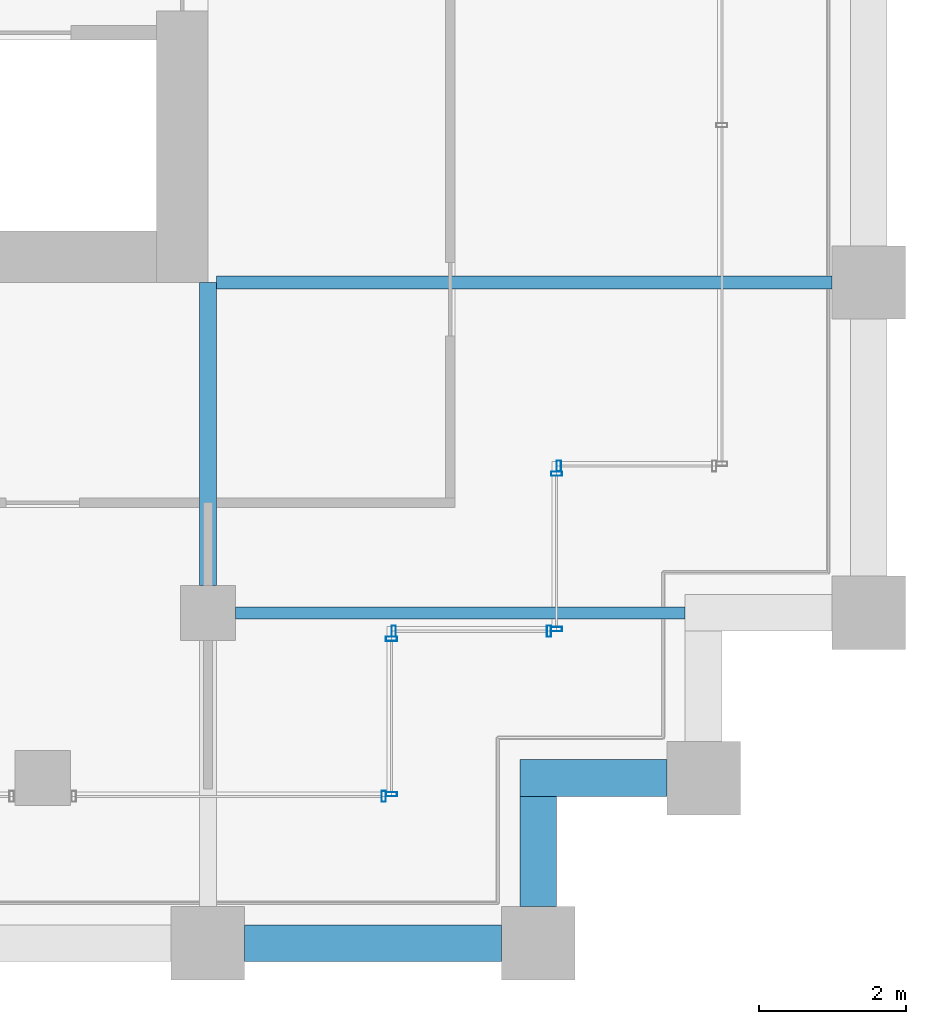
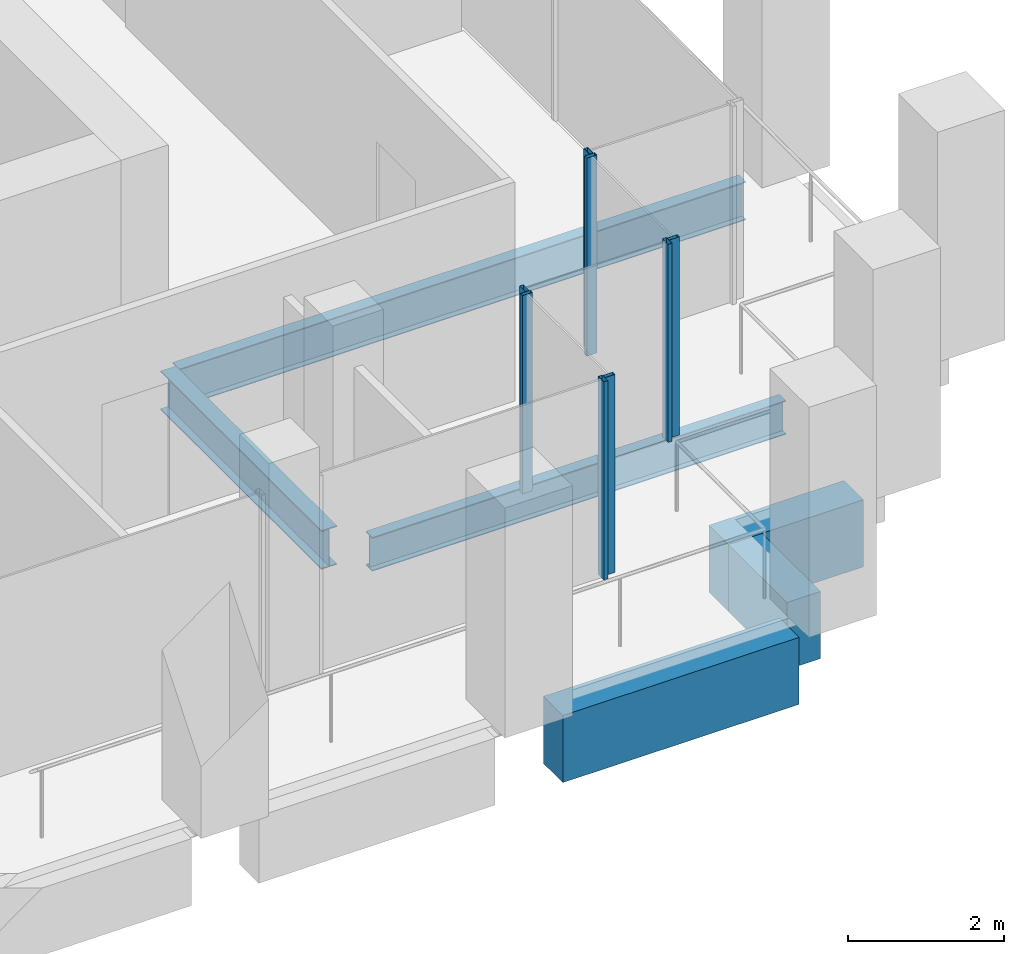
# One storey, part 32 of 46: 8 members, 6 beams, 5 elements without a shape of their own.
"""IFC4 building model written with IfcOpenShell, lengths in metres."""

from ifc_helpers import new_model, si_unit, direction, frame, origin, origin_2d, place, context, subcontext, project, spatial, rectangle, hollow_rectangle, i_section, extrude, material, material_profile, profile_set, type_object, element, aggregate, save


model = new_model("IFC4")

# Units and contexts
model_context = context("Model", 3, precision=1e-05, world=origin(), true_north=direction((0.0, 1.0)))
body_context = subcontext(model_context, "Body", "Model", "MODEL_VIEW")
ifc_project = project(units=[si_unit("LENGTHUNIT", "METRE"), si_unit("AREAUNIT", "SQUARE_METRE"), si_unit("VOLUMEUNIT", "CUBIC_METRE"), si_unit("PLANEANGLEUNIT", "RADIAN"), si_unit("MASSUNIT", "GRAM", prefix="KILO")], contexts=[model_context])

# Site, building, storey
site_placement = place(None, origin())
site = spatial("IfcSite", under=ifc_project, at=site_placement, CompositionType="ELEMENT")
building_placement = place(site_placement, origin())
building = spatial("IfcBuilding", under=site, at=building_placement, Name="Altepetl Exchange Towers", CompositionType="ELEMENT")
storey_placement = place(building_placement, frame((0.0, 0.0, 128.0)))
storey = spatial("IfcBuildingStorey", under=building, at=storey_placement, Name="L31", CompositionType="ELEMENT", Elevation=128.0)

# Beams
ifc_material_1 = material(Name="Steel S355", Category="steel")
ifc_material_profile_1 = material_profile(ifc_material_1, i_section(OverallWidth=0.166015625, OverallDepth=0.529052734375, WebThickness=0.009765625, FlangeThickness=0.013671875, at=origin_2d()), Name="W21X50")
ifc_profile_set_1 = profile_set([ifc_material_profile_1], Name="Steel S355")
beam_type_1 = type_object("IfcBeamType", Name="Floor beam W21X50", PredefinedType="BEAM", material=ifc_profile_set_1)
beam_1_placement = place(storey_placement, frame((117.375, 31.5, -0.41455078125), z_axis=(1.0, 0.0, 0.0), x_axis=(0.0, 1.0, 0.0)))
element("IfcBeam", 1, at=beam_1_placement, inside=storey, type_object=beam_type_1, Name="bm:B:L31:000", PredefinedType="BEAM", context=body_context, shape_type="SweptSolid", body=[
    extrude(i_section(OverallWidth=0.166015625, OverallDepth=0.529052734375, WebThickness=0.009765625, FlangeThickness=0.013671875, at=origin_2d()), origin(), (0.0, 0.0, 1.0), 6.125),
])
ifc_material_profile_2 = material_profile(ifc_material_1, i_section(OverallWidth=0.177978515625, OverallDepth=0.59912109375, WebThickness=0.010009765625, FlangeThickness=0.0126953125, at=origin_2d()), Name="W24X55")
ifc_profile_set_2 = profile_set([ifc_material_profile_2], Name="Steel S355")
beam_type_2 = type_object("IfcBeamType", Name="Floor beam W24X55", PredefinedType="BEAM", material=ifc_profile_set_2)
beam_2_placement = place(storey_placement, frame((117.114013671875, 36.0, -0.449462890625), z_axis=(1.0, 0.0, 0.0), x_axis=(0.0, 1.0, 0.0)))
element("IfcBeam", 2, at=beam_2_placement, inside=storey, type_object=beam_type_2, Name="bm:B:L31:001", PredefinedType="BEAM", context=body_context, shape_type="SweptSolid", body=[
    extrude(i_section(OverallWidth=0.177978515625, OverallDepth=0.59912109375, WebThickness=0.010009765625, FlangeThickness=0.0126953125, at=origin_2d()), origin(), (0.0, 0.0, 1.0), 8.385986328125),
])
ifc_material_profile_3 = material_profile(ifc_material_1, i_section(OverallWidth=0.22802734375, OverallDepth=0.60791015625, WebThickness=0.01123046875, FlangeThickness=0.017333984375, at=origin_2d()), Name="W24X76")
ifc_profile_set_3 = profile_set([ifc_material_profile_3], Name="Steel S355")
beam_type_3 = type_object("IfcBeamType", Name="Girder W24X76", PredefinedType="BEAM", material=ifc_profile_set_3)
beam_3_placement = place(storey_placement, frame((117.0, 36.0, -0.4541015625), z_axis=(0.0, -1.0, 0.0), x_axis=(1.0, 0.0, 0.0)))
element("IfcBeam", 3, at=beam_3_placement, inside=storey, type_object=beam_type_3, Name="gd:B:L31:000", PredefinedType="BEAM", context=body_context, shape_type="SweptSolid", body=[
    extrude(i_section(OverallWidth=0.22802734375, OverallDepth=0.60791015625, WebThickness=0.01123046875, FlangeThickness=0.017333984375, at=origin_2d()), origin(), (0.0, 0.0, 1.0), 4.125),
])

# Curtain wall, member
ifc_material_2 = material(Name="Aluminium 6063-T6 glazing", Category="aluminium")
curtain_wall_type = type_object("IfcCurtainWallType", Name="Loggia glazing system", PredefinedType="NOTDEFINED", material=ifc_material_2)
curtain_wall_1_placement = place(storey_placement, origin())
curtain_wall_1 = element("IfcCurtainWall", 4, at=curtain_wall_1_placement, inside=storey, type_object=curtain_wall_type, Name="CW1 run", PredefinedType="NOTDEFINED")
ifc_material_3 = material(Name="Aluminium 6063-T6", Category="aluminium")
ifc_material_profile_4 = material_profile(ifc_material_3, hollow_rectangle(XDim=0.06005859375, YDim=0.14990234375, WallThickness=0.0029296875, at=origin_2d()), Name="Mullion 60x150 aluminium")
ifc_profile_set_4 = profile_set([ifc_material_profile_4], Name="Aluminium 6063-T6")
member_type = type_object("IfcMemberType", Name="Mullion 60x150 aluminium", PredefinedType="MULLION", material=ifc_profile_set_4)
member_1_placement = place(storey_placement, frame((119.39501953125, 29.0, 0.0)))
member_1 = element("IfcMember", 5, at=member_1_placement, type_object=member_type, Name="MU1 mullion", PredefinedType="MULLION", context=body_context, shape_type="SweptSolid", body=[
    extrude(hollow_rectangle(XDim=0.06005859375, YDim=0.14990234375, WallThickness=0.0029296875, at=origin_2d()), origin(), (0.0, 0.0, 1.0), 3.10009765625),
])
aggregate(curtain_wall_1, [member_1])

# Curtain wall, members
curtain_wall_2_placement = place(storey_placement, origin())
curtain_wall_2 = element("IfcCurtainWall", 6, at=curtain_wall_2_placement, inside=storey, type_object=curtain_wall_type, Name="CW1 run", PredefinedType="NOTDEFINED")
member_2_placement = place(storey_placement, frame((119.5, 29.030029296875, 0.0), z_axis=(0.0, 0.0, 1.0), x_axis=(0.0, 1.0, 0.0)))
member_2 = element("IfcMember", 7, at=member_2_placement, type_object=member_type, Name="MU1 mullion", PredefinedType="MULLION", context=body_context, shape_type="SweptSolid", body=[
    extrude(hollow_rectangle(XDim=0.06005859375, YDim=0.14990234375, WallThickness=0.0029296875, at=origin_2d()), origin(), (0.0, 0.0, 1.0), 3.10009765625),
])
member_3_placement = place(storey_placement, frame((119.5, 31.14501953125, 0.0), z_axis=(0.0, 0.0, 1.0), x_axis=(0.0, 1.0, 0.0)))
member_3 = element("IfcMember", 8, at=member_3_placement, type_object=member_type, Name="MU1 mullion", PredefinedType="MULLION", context=body_context, shape_type="SweptSolid", body=[
    extrude(hollow_rectangle(XDim=0.06005859375, YDim=0.14990234375, WallThickness=0.0029296875, at=origin_2d()), origin(), (0.0, 0.0, 1.0), 3.10009765625),
])
aggregate(curtain_wall_2, [member_2, member_3])

curtain_wall_3_placement = place(storey_placement, origin())
curtain_wall_3 = element("IfcCurtainWall", 9, at=curtain_wall_3_placement, inside=storey, type_object=curtain_wall_type, Name="CW1 run", PredefinedType="NOTDEFINED")
member_4_placement = place(storey_placement, frame((119.530029296875, 31.25, 0.0)))
member_4 = element("IfcMember", 10, at=member_4_placement, type_object=member_type, Name="MU1 mullion", PredefinedType="MULLION", context=body_context, shape_type="SweptSolid", body=[
    extrude(hollow_rectangle(XDim=0.06005859375, YDim=0.14990234375, WallThickness=0.0029296875, at=origin_2d()), origin(), (0.0, 0.0, 1.0), 3.10009765625),
])
member_5_placement = place(storey_placement, frame((121.64501953125, 31.25, 0.0)))
member_5 = element("IfcMember", 11, at=member_5_placement, type_object=member_type, Name="MU1 mullion", PredefinedType="MULLION", context=body_context, shape_type="SweptSolid", body=[
    extrude(hollow_rectangle(XDim=0.06005859375, YDim=0.14990234375, WallThickness=0.0029296875, at=origin_2d()), origin(), (0.0, 0.0, 1.0), 3.10009765625),
])
aggregate(curtain_wall_3, [member_4, member_5])

curtain_wall_4_placement = place(storey_placement, origin())
curtain_wall_4 = element("IfcCurtainWall", 12, at=curtain_wall_4_placement, inside=storey, type_object=curtain_wall_type, Name="CW1 run", PredefinedType="NOTDEFINED")
member_6_placement = place(storey_placement, frame((121.75, 31.280029296875, 0.0), z_axis=(0.0, 0.0, 1.0), x_axis=(0.0, 1.0, 0.0)))
member_6 = element("IfcMember", 13, at=member_6_placement, type_object=member_type, Name="MU1 mullion", PredefinedType="MULLION", context=body_context, shape_type="SweptSolid", body=[
    extrude(hollow_rectangle(XDim=0.06005859375, YDim=0.14990234375, WallThickness=0.0029296875, at=origin_2d()), origin(), (0.0, 0.0, 1.0), 3.10009765625),
])
member_7_placement = place(storey_placement, frame((121.75, 33.39501953125, 0.0), z_axis=(0.0, 0.0, 1.0), x_axis=(0.0, 1.0, 0.0)))
member_7 = element("IfcMember", 14, at=member_7_placement, type_object=member_type, Name="MU1 mullion", PredefinedType="MULLION", context=body_context, shape_type="SweptSolid", body=[
    extrude(hollow_rectangle(XDim=0.06005859375, YDim=0.14990234375, WallThickness=0.0029296875, at=origin_2d()), origin(), (0.0, 0.0, 1.0), 3.10009765625),
])
aggregate(curtain_wall_4, [member_6, member_7])

# Curtain wall, member
curtain_wall_5_placement = place(storey_placement, origin())
curtain_wall_5 = element("IfcCurtainWall", 15, at=curtain_wall_5_placement, inside=storey, type_object=curtain_wall_type, Name="CW1 run", PredefinedType="NOTDEFINED")
member_8_placement = place(storey_placement, frame((121.780029296875, 33.5, 0.0)))
member_8 = element("IfcMember", 16, at=member_8_placement, type_object=member_type, Name="MU1 mullion", PredefinedType="MULLION", context=body_context, shape_type="SweptSolid", body=[
    extrude(hollow_rectangle(XDim=0.06005859375, YDim=0.14990234375, WallThickness=0.0029296875, at=origin_2d()), origin(), (0.0, 0.0, 1.0), 3.10009765625),
])
aggregate(curtain_wall_5, [member_8])

# Beams
ifc_material_4 = material(Name="Concrete C50/60 precast with cantera blanca facing", Category="concrete")
ifc_material_profile_5 = material_profile(ifc_material_4, rectangle(XDim=0.5, YDim=1.050048828125, at=origin_2d()), Name="500 x 1050")
ifc_profile_set_5 = profile_set([ifc_material_profile_5], Name="Concrete C50/60 precast with cantera blanca facing")
beam_type_4 = type_object("IfcBeamType", Name="Spandrel beam 500x1050 cantera blanca", PredefinedType="SPANDREL", material=ifc_profile_set_5)
beam_4_placement = place(storey_placement, frame((117.5, 27.0, -0.675048828125), z_axis=(1.0, 0.0, 0.0), x_axis=(0.0, 1.0, 0.0)))
element("IfcBeam", 17, at=beam_4_placement, inside=storey, type_object=beam_type_4, Name="sp:B:L31:004", PredefinedType="SPANDREL", context=body_context, shape_type="SweptSolid", body=[
    extrude(rectangle(XDim=0.5, YDim=1.050048828125, at=origin_2d()), origin(), (0.0, 0.0, 1.0), 3.5),
])
beam_5_placement = place(storey_placement, frame((121.5, 27.5, -0.675048828125), z_axis=(0.0, 1.0, 0.0), x_axis=(-1.0, 0.0, 0.0)))
element("IfcBeam", 18, at=beam_5_placement, inside=storey, type_object=beam_type_4, Name="sp:B:L31:005", PredefinedType="SPANDREL", context=body_context, shape_type="SweptSolid", body=[
    extrude(rectangle(XDim=0.5, YDim=1.050048828125, at=origin_2d()), origin(), (0.0, 0.0, 1.0), 1.5),
])
beam_6_placement = place(storey_placement, frame((121.25, 29.25, -0.675048828125), z_axis=(1.0, 0.0, 0.0), x_axis=(0.0, 1.0, 0.0)))
element("IfcBeam", 19, at=beam_6_placement, inside=storey, type_object=beam_type_4, Name="sp:B:L31:006", PredefinedType="SPANDREL", context=body_context, shape_type="SweptSolid", body=[
    extrude(rectangle(XDim=0.5, YDim=1.050048828125, at=origin_2d()), origin(), (0.0, 0.0, 1.0), 2.0),
])

save(model, "model.ifc")
